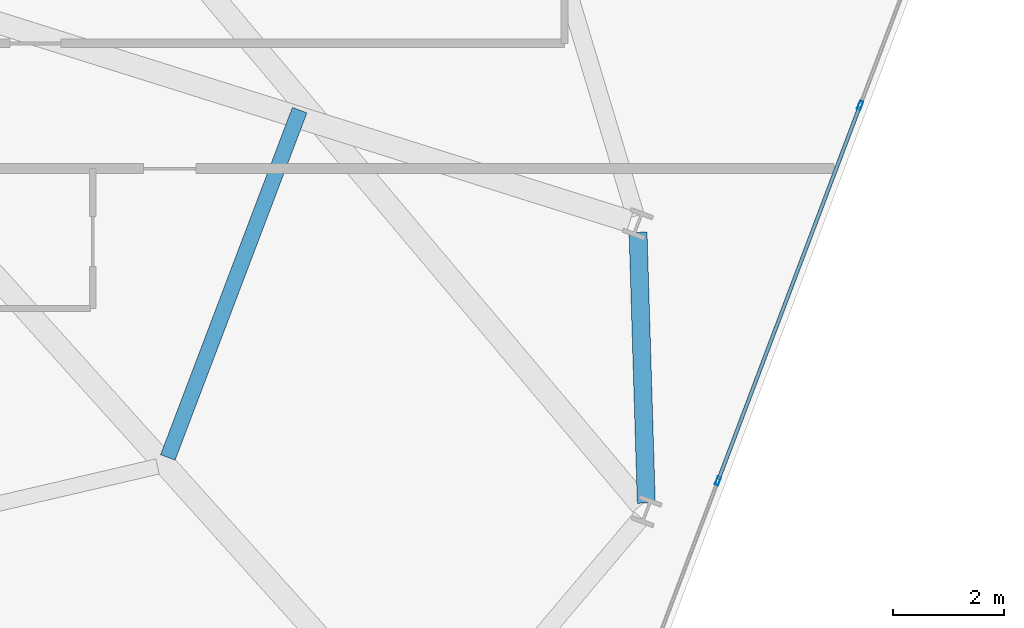
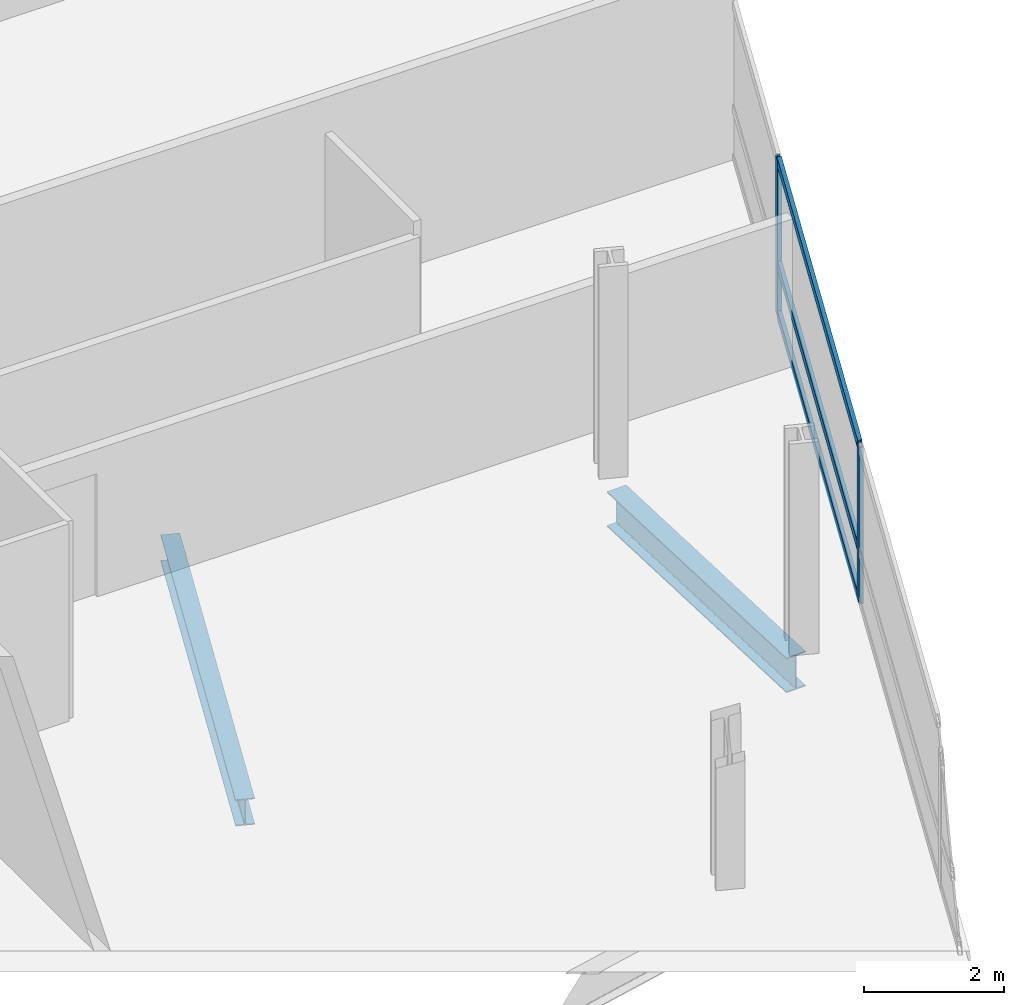
# One storey, part 11 of 24: 5 members, 2 beams, 1 element without a shape of its own.
"""IFC4 building model written with IfcOpenShell, lengths in metres."""

from ifc_helpers import new_model, si_unit, direction, frame, origin, origin_2d, place, context, subcontext, project, spatial, hollow_rectangle, i_section, extrude, material, layer, layer_set, material_profile, profile_set, type_object, element, aggregate, save


model = new_model("IFC4")

# Units and contexts
model_context = context("Model", 3, precision=1e-05, world=origin(), true_north=direction((0.0, 1.0)))
body_context = subcontext(model_context, "Body", "Model", "MODEL_VIEW")
ifc_project = project(units=[si_unit("LENGTHUNIT", "METRE"), si_unit("AREAUNIT", "SQUARE_METRE"), si_unit("VOLUMEUNIT", "CUBIC_METRE"), si_unit("PLANEANGLEUNIT", "RADIAN"), si_unit("MASSUNIT", "GRAM", prefix="KILO")], contexts=[model_context])

# Site, building, storey
site_placement = place(None, origin())
site = spatial("IfcSite", under=ifc_project, at=site_placement, CompositionType="ELEMENT")
building_placement = place(site_placement, origin())
building = spatial("IfcBuilding", under=site, at=building_placement, Name="Varnelok Gate Tower", CompositionType="ELEMENT")
storey_placement = place(building_placement, frame((0.0, 0.0, 87.300048828125)))
storey = spatial("IfcBuildingStorey", under=building, at=storey_placement, Name="L21", CompositionType="ELEMENT", Elevation=87.300048828125)

# Beams
ifc_material_1 = material(Name="Structural Steel ASTM A992 Grade 50", Category="steel")
ifc_material_profile_1 = material_profile(ifc_material_1, i_section(OverallWidth=0.280029296875, OverallDepth=0.462890625, WebThickness=0.0107421875, FlangeThickness=0.017333984375, FilletRadius=0.014892578125, at=origin_2d()), Name="W18X76")
ifc_profile_set_1 = profile_set([ifc_material_profile_1], Name="Structural Steel ASTM A992 Grade 50")
beam_type_1 = type_object("IfcBeamType", Name="BM-JST-W18X76", PredefinedType="JOIST", material=ifc_profile_set_1)
beam_1_placement = place(storey_placement, frame((62.845458984375, 9.144775390625, -0.4814453125), z_axis=(0.354899245418, 0.934904554274, 0.0), x_axis=(-0.934904554274, 0.354899245418, 0.0)))
element("IfcBeam", 1, at=beam_1_placement, inside=storey, type_object=beam_type_1, Name="L21 Sector Floor Joist 6", PredefinedType="JOIST", context=body_context, shape_type="SweptSolid", body=[
    extrude(i_section(OverallWidth=0.280029296875, OverallDepth=0.462890625, WebThickness=0.0107421875, FlangeThickness=0.017333984375, FilletRadius=0.014892578125, at=origin_2d()), origin(), (0.0, 0.0, 1.0), 6.6982421875),
])
ifc_material_profile_2 = material_profile(ifc_material_1, i_section(OverallWidth=0.323974609375, OverallDepth=0.611083984375, WebThickness=0.0126953125, FlangeThickness=0.01904296875, FilletRadius=0.01806640625, at=origin_2d()), Name="W24X104")
ifc_profile_set_2 = profile_set([ifc_material_profile_2], Name="Structural Steel ASTM A992 Grade 50")
beam_type_2 = type_object("IfcBeamType", Name="BM-SPN-W24X104", PredefinedType="SPANDREL", material=ifc_profile_set_2)
beam_2_placement = place(storey_placement, frame((71.471923828125, 8.322509765625, -0.5556640625), z_axis=(-0.030393553869, 0.999538009224, 0.0), x_axis=(-0.999538009224, -0.030393553869, 0.0)))
element("IfcBeam", 2, at=beam_2_placement, inside=storey, type_object=beam_type_2, Name="L21 Perimeter Spandrel Beam 7", PredefinedType="SPANDREL", context=body_context, shape_type="SweptSolid", body=[
    extrude(i_section(OverallWidth=0.323974609375, OverallDepth=0.611083984375, WebThickness=0.0126953125, FlangeThickness=0.01904296875, FilletRadius=0.01806640625, at=origin_2d()), origin(), (0.0, 0.0, 1.0), 4.8837890625),
])

# Curtain wall, members
ifc_material_2 = material(Name="Anodized Aluminum Alloy 6063-T6", Category="aluminium")
ifc_layer = layer(ifc_material_2, 0.179931640625)
ifc_layer_set = layer_set([ifc_layer], Name="Anodized Aluminum Alloy 6063-T6")
curtain_wall_type = type_object("IfcCurtainWallType", Name="CW3-HOTEL-VISION", PredefinedType="USERDEFINED", material=ifc_layer_set)
curtain_wall_placement = place(storey_placement, origin())
curtain_wall = element("IfcCurtainWall", 3, at=curtain_wall_placement, inside=storey, type_object=curtain_wall_type, Name="L21 East End Vision Curtain Wall", ObjectType="UNITISED CURTAIN WALL", PredefinedType="USERDEFINED")
ifc_material_profile_3 = material_profile(ifc_material_2, hollow_rectangle(XDim=0.06494140625, YDim=0.159912109375, WallThickness=0.00390625, at=origin_2d()), Name="ALU160X65X4")
ifc_profile_set_3 = profile_set([ifc_material_profile_3], Name="Anodized Aluminum Alloy 6063-T6")
member_type_1 = type_object("IfcMemberType", Name="CW-MULL-160", PredefinedType="MULLION", material=ifc_profile_set_3)
member_1_placement = place(storey_placement, frame((75.328125, 15.4931640625, 0.0), z_axis=(0.0, 0.0, 1.0), x_axis=(0.935221323688, -0.354063660545, 0.0)))
member_1 = element("IfcMember", 4, at=member_1_placement, type_object=member_type_1, Name="CW3 mullion 3", PredefinedType="MULLION", context=body_context, shape_type="SweptSolid", body=[
    extrude(hollow_rectangle(XDim=0.06494140625, YDim=0.159912109375, WallThickness=0.00390625, at=origin_2d()), origin(), (0.0, 0.0, 1.0), 2.72998046875),
])
member_2_placement = place(storey_placement, frame((72.7646484375, 8.72216796875, 0.0), z_axis=(0.0, 0.0, 1.0), x_axis=(0.935221323688, -0.354063660545, 0.0)))
member_2 = element("IfcMember", 5, at=member_2_placement, type_object=member_type_1, Name="CW3 mullion 4", PredefinedType="MULLION", context=body_context, shape_type="SweptSolid", body=[
    extrude(hollow_rectangle(XDim=0.06494140625, YDim=0.159912109375, WallThickness=0.00390625, at=origin_2d()), origin(), (0.0, 0.0, 1.0), 2.72998046875),
])
ifc_material_profile_4 = material_profile(ifc_material_2, hollow_rectangle(XDim=0.06494140625, YDim=0.159912109375, WallThickness=0.00390625, at=origin_2d()), Name="ALU160X65X4")
ifc_profile_set_4 = profile_set([ifc_material_profile_4], Name="Anodized Aluminum Alloy 6063-T6")
member_type_2 = type_object("IfcMemberType", Name="CW-TRAN-160", PredefinedType="USERDEFINED", material=ifc_profile_set_4)
member_3_placement = place(storey_placement, frame((75.316650390625, 15.462646484375, 0.032470703125), z_axis=(-0.354078724634, -0.935215620465, 0.0), x_axis=(0.935215620465, -0.354078724634, 0.0)))
member_3 = element("IfcMember", 6, at=member_3_placement, type_object=member_type_2, Name="CW3 transom 3.1", ObjectType="TRANSOM", PredefinedType="USERDEFINED", context=body_context, shape_type="SweptSolid", body=[
    extrude(hollow_rectangle(XDim=0.06494140625, YDim=0.159912109375, WallThickness=0.00390625, at=origin_2d()), origin(), (0.0, 0.0, 1.0), 7.175048828125),
])
member_4_placement = place(storey_placement, frame((75.316650390625, 15.462646484375, 0.89990234375), z_axis=(-0.354078724634, -0.935215620465, 0.0), x_axis=(0.935215620465, -0.354078724634, 0.0)))
member_4 = element("IfcMember", 7, at=member_4_placement, type_object=member_type_2, Name="CW3 transom 3.2", ObjectType="TRANSOM", PredefinedType="USERDEFINED", context=body_context, shape_type="SweptSolid", body=[
    extrude(hollow_rectangle(XDim=0.06494140625, YDim=0.159912109375, WallThickness=0.00390625, at=origin_2d()), origin(), (0.0, 0.0, 1.0), 7.175048828125),
])
member_5_placement = place(storey_placement, frame((75.316650390625, 15.462646484375, 2.697509765625), z_axis=(-0.354078724634, -0.935215620465, 0.0), x_axis=(0.935215620465, -0.354078724634, 0.0)))
member_5 = element("IfcMember", 8, at=member_5_placement, type_object=member_type_2, Name="CW3 transom 3.3", ObjectType="TRANSOM", PredefinedType="USERDEFINED", context=body_context, shape_type="SweptSolid", body=[
    extrude(hollow_rectangle(XDim=0.06494140625, YDim=0.159912109375, WallThickness=0.00390625, at=origin_2d()), origin(), (0.0, 0.0, 1.0), 7.175048828125),
])
aggregate(curtain_wall, [member_1, member_2, member_3, member_4, member_5])

save(model, "model.ifc")
